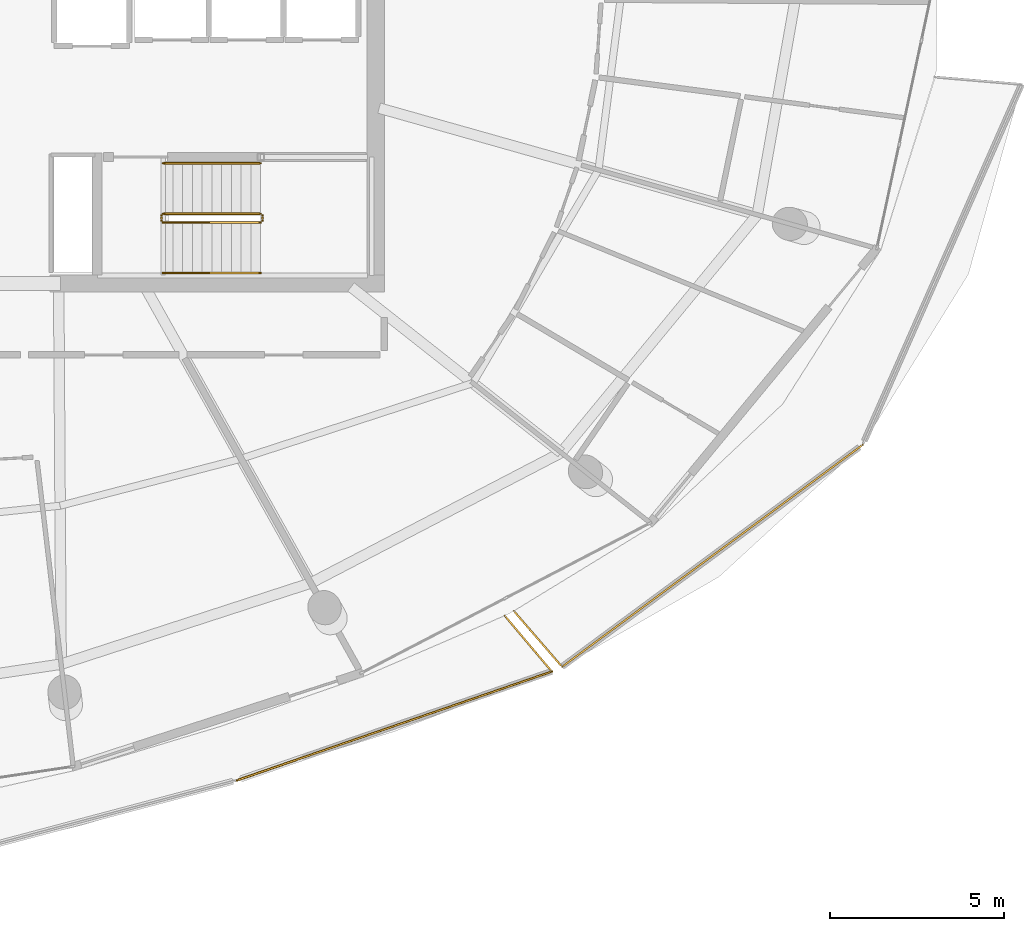
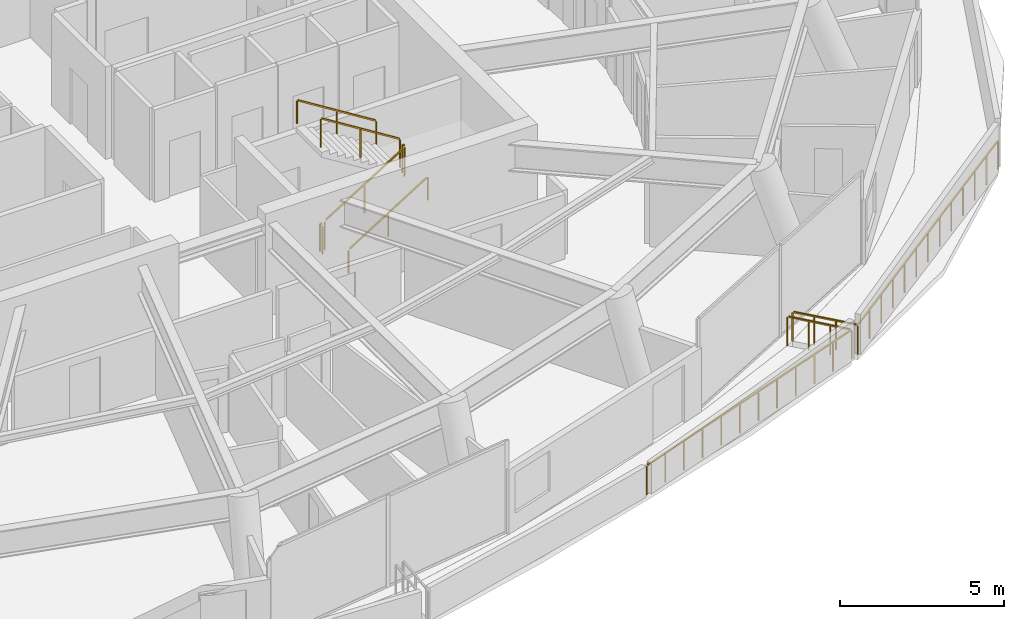
# One storey, part 22 of 24: 10 railings.
"""IFC4 building model written with IfcOpenShell, lengths in metres."""

import ifcopenshell
import ifcopenshell.guid

model = None  # the IFC model being written
_history = None  # IfcOwnerHistory: only IFC2X3 demands one
_inside = {}  # id of a spatial element -> (the spatial element, [elements in it])
_under = {}  # id of a project, library or spatial element -> (it, [spatial elements below it])
_declared = {}  # id of a project -> (the project, [libraries it declares])
_typed = {}  # id of a type object -> (the type object, [elements of that type])
_made_of = {}  # id of a material, layer set ... -> (it, [elements and type objects made of it])


def new_model(schema):
    """Start an empty IFC model of exactly this schema.

    Asked for "IFC4X3", IfcOpenShell would pick the latest addendum, in which some entities
    have other attributes; the version numbers below select the first issue.
    IFC2X3 requires an IfcOwnerHistory on every rooted entity: one is made here for all.
    """
    global model, _history
    if schema == "IFC4X3":
        model = ifcopenshell.file(schema_version=(4, 3, 0, 0))
    else:
        model = ifcopenshell.file(schema=schema)
    _inside.clear()
    _under.clear()
    _declared.clear()
    _typed.clear()
    _made_of.clear()
    _history = None
    if model.schema == "IFC2X3":
        org = make("IfcOrganization", Name="unknown")
        user = make(
            "IfcPersonAndOrganization",
            ThePerson=make("IfcPerson", FamilyName="unknown"),
            TheOrganization=org,
        )
        app = make(
            "IfcApplication",
            ApplicationDeveloper=org,
            Version="unknown",
            ApplicationFullName="unknown",
            ApplicationIdentifier="unknown",
        )
        _history = make(
            "IfcOwnerHistory",
            OwningUser=user,
            OwningApplication=app,
            ChangeAction="ADDED",
            CreationDate=0,
        )
    return model


def make(cls, **values):
    """One entity of the class cls with the attributes given. An attribute that is None is left unset."""
    return model.create_entity(
        cls, **{name: value for name, value in values.items() if value is not None}
    )


def rooted(cls, **values):
    """An entity with a GlobalId (a new one), such as an element, a storey or a relation."""
    return make(cls, GlobalId=ifcopenshell.guid.new(), OwnerHistory=_history, **values)


def si_unit(unit_type, name, prefix=None):
    """IfcSIUnit, for example si_unit("LENGTHUNIT", "METRE", prefix="MILLI")."""
    return make("IfcSIUnit", UnitType=unit_type, Prefix=prefix, Name=name)


def assignment(units):
    """IfcUnitAssignment: the units of a project."""
    return None if units is None else make("IfcUnitAssignment", Units=units)


def point(xyz):
    """IfcCartesianPoint."""
    return None if xyz is None else make("IfcCartesianPoint", Coordinates=xyz)


def direction(xyz):
    """IfcDirection."""
    return None if xyz is None else make("IfcDirection", DirectionRatios=xyz)


def frame(location, z_axis=None, x_axis=None):
    """IfcAxis2Placement3D, a coordinate frame: its origin and axes. An axis left out is left unset."""
    return make(
        "IfcAxis2Placement3D",
        Location=point(location),
        Axis=direction(z_axis),
        RefDirection=direction(x_axis),
    )


def frame_2d(location, x_axis=None):
    """IfcAxis2Placement2D, a coordinate frame in the plane: its origin and x axis."""
    return make(
        "IfcAxis2Placement2D", Location=point(location), RefDirection=direction(x_axis)
    )


def origin():
    """The frame at (0, 0, 0) with its axes left unset."""
    return frame((0.0, 0.0, 0.0))


def origin_2d():
    """The frame at (0, 0) in the plane with its x axis left unset."""
    return frame_2d((0.0, 0.0))


def place(relative_to, where):
    """IfcLocalPlacement: puts the frame where relative to a parent placement (None: the world)."""
    return make(
        "IfcLocalPlacement", PlacementRelTo=relative_to, RelativePlacement=where
    )


def context(
    kind, dimensions, precision=None, world=None, true_north=None, identifier=None
):
    """IfcGeometricRepresentationContext, for example the 3D "Model" context."""
    return make(
        "IfcGeometricRepresentationContext",
        ContextIdentifier=identifier,
        ContextType=kind,
        CoordinateSpaceDimension=dimensions,
        Precision=precision,
        WorldCoordinateSystem=world,
        TrueNorth=true_north,
    )


def subcontext(parent, identifier, kind, view, scale=None):
    """IfcGeometricRepresentationSubContext, for example "Body" below "Model"."""
    return make(
        "IfcGeometricRepresentationSubContext",
        ContextIdentifier=identifier,
        ContextType=kind,
        ParentContext=parent,
        TargetScale=scale,
        TargetView=view,
    )


def project(units=None, contexts=None):
    """IfcProject with its units and contexts."""
    return rooted(
        "IfcProject",
        Name="project",
        RepresentationContexts=contexts,
        UnitsInContext=assignment(units),
    )


def spatial(cls, under=None, at=None, **own):
    """A site, building, storey or space (cls), placed at a placement, below another one or the project."""
    s = rooted(cls, ObjectPlacement=at, **own)
    if under is not None:
        _under.setdefault(under.id(), (under, []))[1].append(s)
    return s


def profile(cls, at=None, kind="AREA", **sizes):
    """A parametric profile (cls). Its sizes go by their IFC names, for example OverallWidth=200.0."""
    return make(cls, ProfileType=kind, Position=at, **sizes)


def rectangle(**sizes):
    """IfcRectangleProfileDef."""
    return profile("IfcRectangleProfileDef", **sizes)


def extrude(swept, where, along, depth):
    """IfcExtrudedAreaSolid: the profile swept, set in the frame where, extruded along a direction by depth."""
    return make(
        "IfcExtrudedAreaSolid",
        SweptArea=swept,
        Position=where,
        ExtrudedDirection=direction(along),
        Depth=depth,
    )


def shape(context_of_items, identifier, shape_type, items):
    """IfcShapeRepresentation: the items that make up one representation, for example the "Body"."""
    return make(
        "IfcShapeRepresentation",
        ContextOfItems=context_of_items,
        RepresentationIdentifier=identifier,
        RepresentationType=shape_type,
        Items=items,
    )


def material(Name=None, Category=None):
    """IfcMaterial."""
    return make("IfcMaterial", Name=Name, Category=Category)


def made_of(thing, what):
    """Note that an element or type object is made of a material, layer set ...; save() writes the relation."""
    if what is not None:
        _made_of.setdefault(what.id(), (what, []))[1].append(thing)
    return thing


def type_object(cls, material=None, **own):
    """A type object (cls), such as IfcWallType, which elements share."""
    return made_of(rooted(cls, **own), material)


def element(
    cls,
    number,
    at=None,
    inside=None,
    cuts=None,
    type_object=None,
    material=None,
    context=None,
    identifier="Body",
    shape_type=None,
    held_by="IfcProductDefinitionShape",
    body=None,
    shapes=None,
    **own,
):
    """One element of the class cls, such as IfcWall. Its Tag is "e" and its number.

    at: its placement. inside: the storey or other place that contains it. cuts: it is an
    opening in that element (IfcRelVoidsElement). A single representation is given by context,
    identifier, shape_type and body (its items); several are given by shapes. held_by: the class
    of the entity that holds the representations. save() writes the other relations.
    """
    e = rooted(cls, Tag="e%d" % number, ObjectPlacement=at, **own)
    if body is not None:
        shapes = [shape(context, identifier, shape_type, body)]
    if shapes is not None:
        e.Representation = make(held_by, Representations=shapes)
    if inside is not None:
        _inside.setdefault(inside.id(), (inside, []))[1].append(e)
    if cuts is not None:
        rooted(
            "IfcRelVoidsElement", RelatingBuildingElement=cuts, RelatedOpeningElement=e
        )
    if type_object is not None:
        _typed.setdefault(type_object.id(), (type_object, []))[1].append(e)
    return made_of(e, material)


def aggregate(whole, parts):
    """IfcRelAggregates: a whole, such as a stair, and the parts it consists of."""
    return rooted("IfcRelAggregates", RelatingObject=whole, RelatedObjects=parts)


def save(model, path):
    """Write the relations noted so far, then the file.

    IfcRelAggregates (storeys below a building ...), IfcRelContainedInSpatialStructure (elements
    in a storey), IfcRelDefinesByType, IfcRelAssociatesMaterial and IfcRelDeclares: one each for
    every whole, place, type object, material and project.
    """
    for whole, parts in _under.values():
        aggregate(whole, parts)
    for where, things in _inside.values():
        rooted(
            "IfcRelContainedInSpatialStructure",
            RelatedElements=things,
            RelatingStructure=where,
        )
    for kind, things in _typed.values():
        rooted("IfcRelDefinesByType", RelatedObjects=things, RelatingType=kind)
    for what, things in _made_of.values():
        rooted("IfcRelAssociatesMaterial", RelatedObjects=things, RelatingMaterial=what)
    for by, libraries in _declared.values():
        rooted("IfcRelDeclares", RelatingContext=by, RelatedDefinitions=libraries)
    model.write(path)


model = new_model("IFC4")

# Units and contexts
model_context = context("Model", 3, precision=1e-05, world=origin(), true_north=direction((0.0, 1.0)))
body_context = subcontext(model_context, "Body", "Model", "MODEL_VIEW")
ifc_project = project(units=[si_unit("LENGTHUNIT", "METRE"), si_unit("AREAUNIT", "SQUARE_METRE"), si_unit("VOLUMEUNIT", "CUBIC_METRE"), si_unit("PLANEANGLEUNIT", "RADIAN"), si_unit("MASSUNIT", "GRAM", prefix="KILO")], contexts=[model_context])

# Site, building, storey
site_placement = place(None, origin())
site = spatial("IfcSite", under=ifc_project, at=site_placement, CompositionType="ELEMENT")
building_placement = place(site_placement, origin())
building = spatial("IfcBuilding", under=site, at=building_placement, Name="Kazma Halo Residences", CompositionType="ELEMENT")
storey_placement = place(building_placement, frame((0.0, 0.0, 309.85009765625)))
storey = spatial("IfcBuildingStorey", under=building, at=storey_placement, Name="L78", CompositionType="ELEMENT", Elevation=309.85009765625)

# Railings
ifc_material_1 = material(Name="Aluminium AW-6063 T6 Brushed Cap Rail", Category="aluminium")
railing_type_1 = type_object("IfcRailingType", Name="RLG-BAL-CAP-1120", PredefinedType="BALUSTRADE", material=ifc_material_1)
railing_1_placement = place(storey_placement, frame((55.315673828125, 19.484619140625, 0.0)))
element("IfcRailing", 1, at=railing_1_placement, inside=storey, type_object=railing_type_1, Name="L78 SSE wave balcony guard 3", PredefinedType="BALUSTRADE", context=body_context, shape_type="SweptSolid", body=[
    extrude(rectangle(XDim=0.050048828125, YDim=0.050048828125, at=origin_2d()), frame((0.040283203125, 0.013916015625, 1.09521484375), z_axis=(0.945128895577, 0.326697674838, 0.0), x_axis=(-0.326697674838, 0.945128895577, 0.0)), (0.0, 0.0, 1.0), 9.481201171875),
    extrude(rectangle(XDim=0.0400390625, YDim=0.0400390625, at=origin_2d()), origin(), (0.0, 0.0, 1.0), 1.05810546875),
    extrude(rectangle(XDim=0.0400390625, YDim=0.0400390625, at=origin_2d()), frame((0.822021484375, 0.2841796875, 0.0)), (0.0, 0.0, 1.0), 1.05810546875),
    extrude(rectangle(XDim=0.0400390625, YDim=0.0400390625, at=origin_2d()), frame((1.643798828125, 0.568115234375, 0.0)), (0.0, 0.0, 1.0), 1.05810546875),
    extrude(rectangle(XDim=0.0400390625, YDim=0.0400390625, at=origin_2d()), frame((2.4658203125, 0.852294921875, 0.0)), (0.0, 0.0, 1.0), 1.05810546875),
    extrude(rectangle(XDim=0.0400390625, YDim=0.0400390625, at=origin_2d()), frame((3.287841796875, 1.136474609375, 0.0)), (0.0, 0.0, 1.0), 1.05810546875),
    extrude(rectangle(XDim=0.0400390625, YDim=0.0400390625, at=origin_2d()), frame((4.109619140625, 1.420654296875, 0.0)), (0.0, 0.0, 1.0), 1.05810546875),
    extrude(rectangle(XDim=0.0400390625, YDim=0.0400390625, at=origin_2d()), frame((4.931640625, 1.70458984375, 0.0)), (0.0, 0.0, 1.0), 1.05810546875),
    extrude(rectangle(XDim=0.0400390625, YDim=0.0400390625, at=origin_2d()), frame((5.75341796875, 1.98876953125, 0.0)), (0.0, 0.0, 1.0), 1.05810546875),
    extrude(rectangle(XDim=0.0400390625, YDim=0.0400390625, at=origin_2d()), frame((6.575439453125, 2.27294921875, 0.0)), (0.0, 0.0, 1.0), 1.05810546875),
    extrude(rectangle(XDim=0.0400390625, YDim=0.0400390625, at=origin_2d()), frame((7.3974609375, 2.55712890625, 0.0)), (0.0, 0.0, 1.0), 1.05810546875),
    extrude(rectangle(XDim=0.0400390625, YDim=0.0400390625, at=origin_2d()), frame((8.21923828125, 2.841064453125, 0.0)), (0.0, 0.0, 1.0), 1.05810546875),
    extrude(rectangle(XDim=0.0400390625, YDim=0.0400390625, at=origin_2d()), frame((9.041259765625, 3.125244140625, 0.0)), (0.0, 0.0, 1.0), 1.05810546875),
])
railing_2_placement = place(storey_placement, frame((64.35693359375, 22.60986328125, 0.0)))
element("IfcRailing", 2, at=railing_2_placement, inside=storey, type_object=railing_type_1, Name="L78 SSE wave balcony guard 4", PredefinedType="BALUSTRADE", context=body_context, shape_type="SweptSolid", body=[
    extrude(rectangle(XDim=0.050048828125, YDim=0.050048828125, at=origin_2d()), frame((-0.02734375, 0.032470703125, 1.09521484375), z_axis=(-0.644792225972, 0.764357890864, 0.0), x_axis=(-0.764357890864, -0.644792225972, 0.0)), (0.0, 0.0, 1.0), 2.010009765625),
    extrude(rectangle(XDim=0.0400390625, YDim=0.0400390625, at=origin_2d()), origin(), (0.0, 0.0, 1.0), 1.05810546875),
    extrude(rectangle(XDim=0.0400390625, YDim=0.0400390625, at=origin_2d()), frame((-0.4501953125, 0.53369140625, 0.0)), (0.0, 0.0, 1.0), 1.05810546875),
    extrude(rectangle(XDim=0.0400390625, YDim=0.0400390625, at=origin_2d()), frame((-0.900634765625, 1.067626953125, 0.0)), (0.0, 0.0, 1.0), 1.05810546875),
    extrude(rectangle(XDim=0.0400390625, YDim=0.0400390625, at=origin_2d()), frame((-1.350830078125, 1.601318359375, 0.0)), (0.0, 0.0, 1.0), 1.05810546875),
])
railing_3_placement = place(storey_placement, frame((63.265380859375, 24.345947265625, 0.0)))
element("IfcRailing", 3, at=railing_3_placement, inside=storey, type_object=railing_type_1, Name="L78 SE wave balcony guard 1", PredefinedType="BALUSTRADE", context=body_context, shape_type="SweptSolid", body=[
    extrude(rectangle(XDim=0.050048828125, YDim=0.050048828125, at=origin_2d()), frame((0.02783203125, -0.0322265625, 1.09521484375), z_axis=(0.654144805184, -0.756369336932, 0.0), x_axis=(0.756369336932, 0.654144805184, 0.0)), (0.0, 0.0, 1.0), 2.033203125),
    extrude(rectangle(XDim=0.0400390625, YDim=0.0400390625, at=origin_2d()), origin(), (0.0, 0.0, 1.0), 1.05810546875),
    extrude(rectangle(XDim=0.0400390625, YDim=0.0400390625, at=origin_2d()), frame((0.4619140625, -0.5341796875, 0.0)), (0.0, 0.0, 1.0), 1.05810546875),
    extrude(rectangle(XDim=0.0400390625, YDim=0.0400390625, at=origin_2d()), frame((0.923828125, -1.068115234375, 0.0)), (0.0, 0.0, 1.0), 1.05810546875),
    extrude(rectangle(XDim=0.0400390625, YDim=0.0400390625, at=origin_2d()), frame((1.3857421875, -1.602294921875, 0.0)), (0.0, 0.0, 1.0), 1.05810546875),
])
railing_4_placement = place(storey_placement, frame((64.651123046875, 22.74365234375, 0.0)))
element("IfcRailing", 4, at=railing_4_placement, inside=storey, type_object=railing_type_1, Name="L78 SE wave balcony guard 2", PredefinedType="BALUSTRADE", context=body_context, shape_type="SweptSolid", body=[
    extrude(rectangle(XDim=0.050048828125, YDim=0.050048828125, at=origin_2d()), frame((0.0341796875, 0.025390625, 1.09521484375), z_axis=(0.804452669923, 0.594016752166, 0.0), x_axis=(-0.594016752166, 0.804452669923, 0.0)), (0.0, 0.0, 1.0), 10.645263671875),
    extrude(rectangle(XDim=0.0400390625, YDim=0.0400390625, at=origin_2d()), origin(), (0.0, 0.0, 1.0), 1.05810546875),
    extrude(rectangle(XDim=0.0400390625, YDim=0.0400390625, at=origin_2d()), frame((0.71923828125, 0.53125, 0.0)), (0.0, 0.0, 1.0), 1.05810546875),
    extrude(rectangle(XDim=0.0400390625, YDim=0.0400390625, at=origin_2d()), frame((1.438720703125, 1.062255859375, 0.0)), (0.0, 0.0, 1.0), 1.05810546875),
    extrude(rectangle(XDim=0.0400390625, YDim=0.0400390625, at=origin_2d()), frame((2.157958984375, 1.593505859375, 0.0)), (0.0, 0.0, 1.0), 1.05810546875),
    extrude(rectangle(XDim=0.0400390625, YDim=0.0400390625, at=origin_2d()), frame((2.87744140625, 2.124755859375, 0.0)), (0.0, 0.0, 1.0), 1.05810546875),
    extrude(rectangle(XDim=0.0400390625, YDim=0.0400390625, at=origin_2d()), frame((3.5966796875, 2.65576171875, 0.0)), (0.0, 0.0, 1.0), 1.05810546875),
    extrude(rectangle(XDim=0.0400390625, YDim=0.0400390625, at=origin_2d()), frame((4.31591796875, 3.18701171875, 0.0)), (0.0, 0.0, 1.0), 1.05810546875),
    extrude(rectangle(XDim=0.0400390625, YDim=0.0400390625, at=origin_2d()), frame((5.035400390625, 3.71826171875, 0.0)), (0.0, 0.0, 1.0), 1.05810546875),
    extrude(rectangle(XDim=0.0400390625, YDim=0.0400390625, at=origin_2d()), frame((5.754638671875, 4.249267578125, 0.0)), (0.0, 0.0, 1.0), 1.05810546875),
    extrude(rectangle(XDim=0.0400390625, YDim=0.0400390625, at=origin_2d()), frame((6.47412109375, 4.780517578125, 0.0)), (0.0, 0.0, 1.0), 1.05810546875),
    extrude(rectangle(XDim=0.0400390625, YDim=0.0400390625, at=origin_2d()), frame((7.193359375, 5.311767578125, 0.0)), (0.0, 0.0, 1.0), 1.05810546875),
    extrude(rectangle(XDim=0.0400390625, YDim=0.0400390625, at=origin_2d()), frame((7.912841796875, 5.8427734375, 0.0)), (0.0, 0.0, 1.0), 1.05810546875),
    extrude(rectangle(XDim=0.0400390625, YDim=0.0400390625, at=origin_2d()), frame((8.632080078125, 6.3740234375, 0.0)), (0.0, 0.0, 1.0), 1.05810546875),
])
ifc_material_2 = material(Name="Painted Steel S355", Category="steel")
railing_type_2 = type_object("IfcRailingType", Name="RLG-STAIR-GRD-1100", PredefinedType="GUARDRAIL", material=ifc_material_2)
railing_5_placement = place(storey_placement, frame((53.199951171875, 35.5, 0.1748046875)))
element("IfcRailing", 5, at=railing_5_placement, inside=storey, type_object=railing_type_2, Name="L78 ST-03 stair guard 1", PredefinedType="GUARDRAIL", context=body_context, shape_type="SweptSolid", body=[
    extrude(rectangle(XDim=0.050048828125, YDim=0.050048828125, at=origin_2d()), frame((0.0361328125, 0.0, 1.09765625), z_axis=(0.848002457836, 0.0, 0.529992293815), x_axis=(0.0, 1.0, 0.0)), (0.0, 0.0, 1.0), 3.216796875),
    extrude(rectangle(XDim=0.0400390625, YDim=0.0400390625, at=origin_2d()), origin(), (0.0, 0.0, 1.0), 1.0380859375),
    extrude(rectangle(XDim=0.0400390625, YDim=0.0400390625, at=origin_2d()), frame((1.39990234375, 0.0, 0.875)), (0.0, 0.0, 1.0), 1.0380859375),
    extrude(rectangle(XDim=0.0400390625, YDim=0.0400390625, at=origin_2d()), frame((2.800048828125, 0.0, 1.75)), (0.0, 0.0, 1.0), 1.0380859375),
])
railing_6_placement = place(storey_placement, frame((56.050048828125, 35.550048828125, 1.9248046875)))
element("IfcRailing", 6, at=railing_6_placement, inside=storey, type_object=railing_type_2, Name="L78 ST-03 stair guard 2", PredefinedType="GUARDRAIL", context=body_context, shape_type="SweptSolid", body=[
    extrude(rectangle(XDim=0.050048828125, YDim=0.050048828125, at=origin_2d()), frame((0.0, 0.04248046875, 1.0751953125), z_axis=(0.0, 1.0, 0.0), x_axis=(-1.0, 0.0, 0.0)), (0.0, 0.0, 1.0), 0.06494140625),
    extrude(rectangle(XDim=0.0400390625, YDim=0.0400390625, at=origin_2d()), origin(), (0.0, 0.0, 1.0), 1.0380859375),
    extrude(rectangle(XDim=0.0400390625, YDim=0.0400390625, at=origin_2d()), frame((0.0, 0.14990234375, 0.0)), (0.0, 0.0, 1.0), 1.0380859375),
])
railing_7_placement = place(storey_placement, frame((56.0, 35.75, 2.099853515625)))
element("IfcRailing", 7, at=railing_7_placement, inside=storey, type_object=railing_type_2, Name="L78 ST-03 stair guard 3", PredefinedType="GUARDRAIL", context=body_context, shape_type="SweptSolid", body=[
    extrude(rectangle(XDim=0.050048828125, YDim=0.050048828125, at=origin_2d()), frame((-0.0361328125, 0.0, 1.09765625), z_axis=(-0.848002457836, 0.0, 0.529992293815), x_axis=(0.0, -1.0, 0.0)), (0.0, 0.0, 1.0), 3.216796875),
    extrude(rectangle(XDim=0.0400390625, YDim=0.0400390625, at=origin_2d()), origin(), (0.0, 0.0, 1.0), 1.0380859375),
    extrude(rectangle(XDim=0.0400390625, YDim=0.0400390625, at=origin_2d()), frame((-1.39990234375, 0.0, 0.875)), (0.0, 0.0, 1.0), 1.0380859375),
    extrude(rectangle(XDim=0.0400390625, YDim=0.0400390625, at=origin_2d()), frame((-2.800048828125, 0.0, 1.75)), (0.0, 0.0, 1.0), 1.0380859375),
])
railing_8_placement = place(storey_placement, frame((53.14990234375, 35.550048828125, 0.0)))
element("IfcRailing", 8, at=railing_8_placement, inside=storey, type_object=railing_type_2, Name="L78 ST-03 stair guard 4", PredefinedType="GUARDRAIL", context=body_context, shape_type="SweptSolid", body=[
    extrude(rectangle(XDim=0.050048828125, YDim=0.050048828125, at=origin_2d()), frame((0.0, 0.04248046875, 1.0751953125), z_axis=(0.0, 1.0, 0.0), x_axis=(-1.0, 0.0, 0.0)), (0.0, 0.0, 1.0), 0.06494140625),
    extrude(rectangle(XDim=0.0400390625, YDim=0.0400390625, at=origin_2d()), origin(), (0.0, 0.0, 1.0), 1.0380859375),
    extrude(rectangle(XDim=0.0400390625, YDim=0.0400390625, at=origin_2d()), frame((0.0, 0.14990234375, 0.0)), (0.0, 0.0, 1.0), 1.0380859375),
])
ifc_material_3 = material(Name="Brushed Stainless Steel", Category="steel")
railing_type_3 = type_object("IfcRailingType", Name="RLG-STAIR-HND-900", PredefinedType="HANDRAIL", material=ifc_material_3)
railing_9_placement = place(storey_placement, frame((53.199951171875, 34.050048828125, 0.1748046875)))
element("IfcRailing", 9, at=railing_9_placement, inside=storey, type_object=railing_type_3, Name="L78 ST-03 stair handrail 1", PredefinedType="HANDRAIL", context=body_context, shape_type="SweptSolid", body=[
    extrude(rectangle(XDim=0.050048828125, YDim=0.050048828125, at=origin_2d()), frame((0.0361328125, 0.0, 0.8974609375), z_axis=(0.848002457836, 0.0, 0.529992293815), x_axis=(0.0, 1.0, 0.0)), (0.0, 0.0, 1.0), 3.216796875),
    extrude(rectangle(XDim=0.0400390625, YDim=0.0400390625, at=origin_2d()), origin(), (0.0, 0.0, 1.0), 0.837890625),
    extrude(rectangle(XDim=0.0400390625, YDim=0.0400390625, at=origin_2d()), frame((1.39990234375, 0.0, 0.875)), (0.0, 0.0, 1.0), 0.837890625),
    extrude(rectangle(XDim=0.0400390625, YDim=0.0400390625, at=origin_2d()), frame((2.800048828125, 0.0, 1.75)), (0.0, 0.0, 1.0), 0.837890625),
])
railing_10_placement = place(storey_placement, frame((56.0, 37.199951171875, 2.099853515625)))
element("IfcRailing", 10, at=railing_10_placement, inside=storey, type_object=railing_type_3, Name="L78 ST-03 stair handrail 2", PredefinedType="HANDRAIL", context=body_context, shape_type="SweptSolid", body=[
    extrude(rectangle(XDim=0.050048828125, YDim=0.050048828125, at=origin_2d()), frame((-0.0361328125, 0.0, 0.8974609375), z_axis=(-0.848002457836, 0.0, 0.529992293815), x_axis=(0.0, -1.0, 0.0)), (0.0, 0.0, 1.0), 3.216796875),
    extrude(rectangle(XDim=0.0400390625, YDim=0.0400390625, at=origin_2d()), origin(), (0.0, 0.0, 1.0), 0.837890625),
    extrude(rectangle(XDim=0.0400390625, YDim=0.0400390625, at=origin_2d()), frame((-1.39990234375, 0.0, 0.875)), (0.0, 0.0, 1.0), 0.837890625),
    extrude(rectangle(XDim=0.0400390625, YDim=0.0400390625, at=origin_2d()), frame((-2.800048828125, 0.0, 1.75)), (0.0, 0.0, 1.0), 0.837890625),
])

save(model, "model.ifc")
